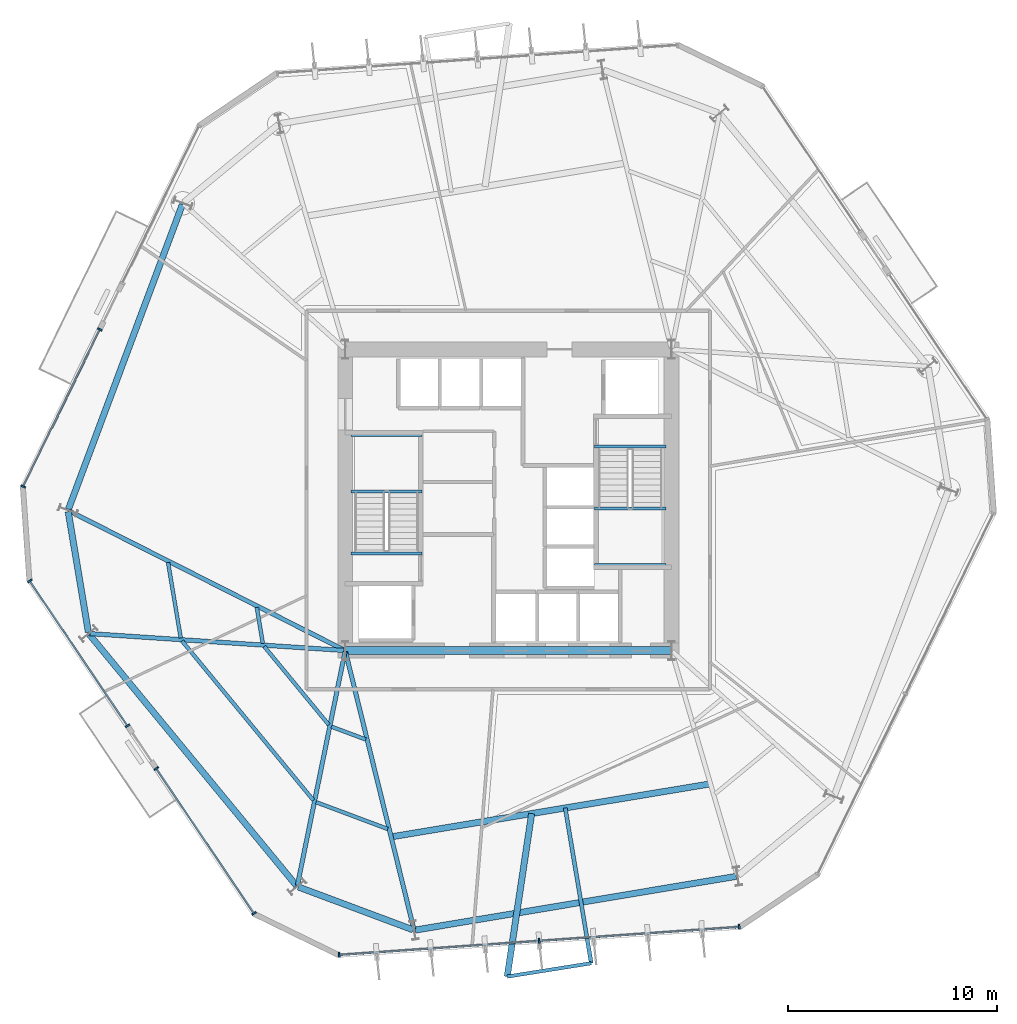
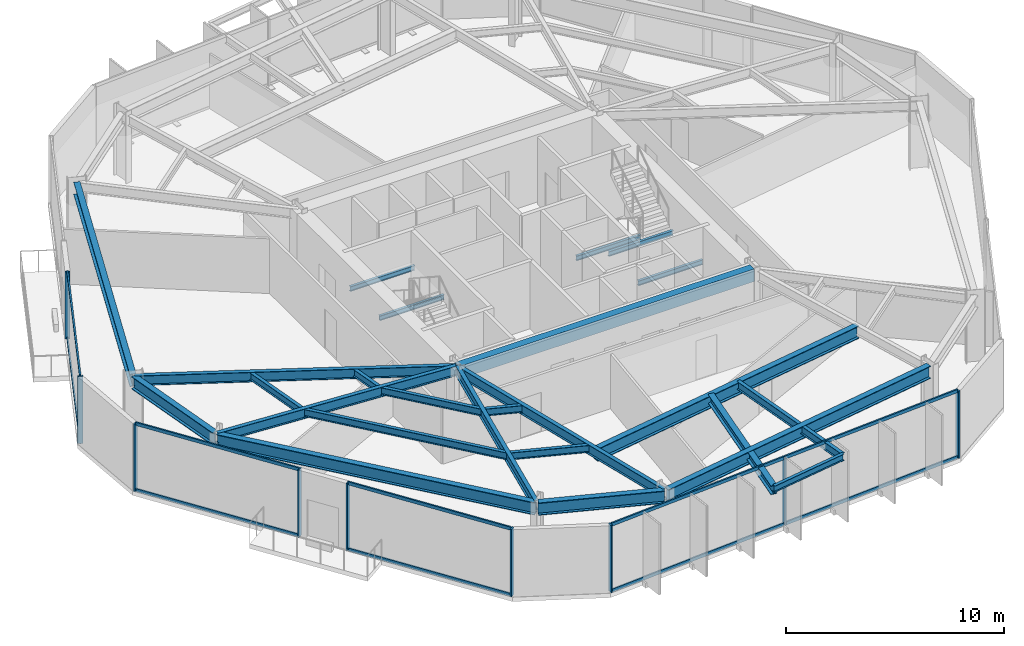
# One storey, part 2 of 10: 26 beams, 19 members, 4 elements without a shape of their own.
"""IFC4 building model written with IfcOpenShell, lengths in metres."""

from ifc_helpers import new_model, si_unit, direction, frame, origin, origin_2d, place, context, subcontext, project, spatial, rectangle, i_section, extrude, material, layer, layer_set, material_profile, profile_set, type_object, element, aggregate, save


model = new_model("IFC4")

# Units and contexts
model_context = context("Model", 3, precision=1e-05, world=origin(), true_north=direction((0.0, 1.0)))
body_context = subcontext(model_context, "Body", "Model", "MODEL_VIEW")
ifc_project = project(units=[si_unit("LENGTHUNIT", "METRE"), si_unit("AREAUNIT", "SQUARE_METRE"), si_unit("VOLUMEUNIT", "CUBIC_METRE"), si_unit("PLANEANGLEUNIT", "RADIAN"), si_unit("MASSUNIT", "GRAM", prefix="KILO")], contexts=[model_context])

# Site, building, storey
site_placement = place(None, origin())
site = spatial("IfcSite", under=ifc_project, at=site_placement, CompositionType="ELEMENT")
building_placement = place(site_placement, origin())
building = spatial("IfcBuilding", under=site, at=building_placement, Name="Kranzbogen Civic Tower", CompositionType="ELEMENT")
storey_placement = place(building_placement, frame((0.0, 0.0, 36.0)))
storey = spatial("IfcBuildingStorey", under=building, at=storey_placement, Name="L08", CompositionType="ELEMENT", Elevation=36.0)

# Beams
ifc_material_1 = material(Name="Steel S355", Category="steel")
ifc_material_profile_1 = material_profile(ifc_material_1, i_section(OverallWidth=0.18994140625, OverallDepth=0.449951171875, WebThickness=0.009521484375, FlangeThickness=0.0146484375, at=origin_2d()), Name="IPE 450")
ifc_profile_set_1 = profile_set([ifc_material_profile_1], Name="Steel S355")
beam_type_1 = type_object("IfcBeamType", Name="Braced Terrace Edge Beam IPE 450", PredefinedType="BEAM", material=ifc_profile_set_1)
beam_1_placement = place(storey_placement, frame((27.720947265625, 10.27294921875, 3.52490234375), z_axis=(0.165129915762, -0.986271824053, 0.0), x_axis=(0.986271824053, 0.165129915762, 0.0)))
element("IfcBeam", 1, at=beam_1_placement, inside=storey, type_object=beam_type_1, Name="L09 back-spanned terrace beam L09-TB2-2", PredefinedType="BEAM", context=body_context, shape_type="SweptSolid", body=[
    extrude(i_section(OverallWidth=0.18994140625, OverallDepth=0.449951171875, WebThickness=0.009521484375, FlangeThickness=0.0146484375, at=origin_2d()), origin(), (0.0, 0.0, 1.0), 7.5283203125),
])
ifc_material_2 = material(Name="Concrete C40/50", Category="concrete")
ifc_material_profile_2 = material_profile(ifc_material_2, rectangle(XDim=0.39990234375, YDim=0.699951171875, at=origin_2d()), Name="RC-BM 400x700")
ifc_profile_set_2 = profile_set([ifc_material_profile_2], Name="Concrete C40/50")
beam_type_2 = type_object("IfcBeamType", Name="Core Coupling Lintel Beam 400x700", PredefinedType="LINTEL", material=ifc_profile_set_2)
beam_2_placement = place(storey_placement, frame((17.199951171875, 17.800048828125, 3.409912109375), z_axis=(1.0, 0.0, 0.0), x_axis=(0.0, 1.0, 0.0)))
element("IfcBeam", 2, at=beam_2_placement, inside=storey, type_object=beam_type_2, Name="L08 core South coupling lintel beam", PredefinedType="LINTEL", context=body_context, shape_type="SweptSolid", body=[
    extrude(rectangle(XDim=0.39990234375, YDim=0.699951171875, at=origin_2d()), origin(), (0.0, 0.0, 1.0), 15.60009765625),
])

# Curtain wall, members
ifc_material_3 = material(Name="Pale Anodised Aluminium", Category="aluminium")
ifc_layer = layer(ifc_material_3, 0.219970703125, Name="Pale Anodised Aluminium")
ifc_layer_set = layer_set([ifc_layer], Name="Pale Anodised Aluminium")
curtain_wall_type = type_object("IfcCurtainWallType", Name="Zone 1 Stick Curtain Wall System CW-02", PredefinedType="USERDEFINED", material=ifc_layer_set)
curtain_wall_1_placement = place(storey_placement, origin())
curtain_wall_1 = element("IfcCurtainWall", 3, at=curtain_wall_1_placement, inside=storey, type_object=curtain_wall_type, Name="L08 curtain wall CW-L08-F3-S2", ObjectType="STICK CURTAIN WALL", PredefinedType="USERDEFINED")
ifc_material_profile_3 = material_profile(ifc_material_3, rectangle(XDim=0.080078125, YDim=0.239990234375, at=origin_2d()), Name="ALU-M 80x240")
ifc_profile_set_3 = profile_set([ifc_material_profile_3], Name="Pale Anodised Aluminium")
member_type_1 = type_object("IfcMemberType", Name="Curtain Wall Mullion ALU-M 80x240", PredefinedType="MULLION", material=ifc_profile_set_3)
member_1_placement = place(storey_placement, frame((5.46484375, 33.158935546875, 0.0), z_axis=(0.0, 0.0, 1.0), x_axis=(-0.438355774113, -0.898801543892, 0.0)))
member_1 = element("IfcMember", 4, at=member_1_placement, type_object=member_type_1, Name="CW-02 mullion 1", PredefinedType="MULLION", context=body_context, shape_type="SweptSolid", body=[
    extrude(rectangle(XDim=0.080078125, YDim=0.239990234375, at=origin_2d()), origin(), (0.0, 0.0, 1.0), 3.760009765625),
])
member_2_placement = place(storey_placement, frame((1.800048828125, 25.64501953125, 0.0), z_axis=(0.0, 0.0, 1.0), x_axis=(-0.438355774113, -0.898801543892, 0.0)))
member_2 = element("IfcMember", 5, at=member_2_placement, type_object=member_type_1, Name="CW-02 mullion 2", PredefinedType="MULLION", context=body_context, shape_type="SweptSolid", body=[
    extrude(rectangle(XDim=0.080078125, YDim=0.239990234375, at=origin_2d()), origin(), (0.0, 0.0, 1.0), 3.760009765625),
])

curtain_wall_2_placement = place(storey_placement, origin())
curtain_wall_2 = element("IfcCurtainWall", 6, at=curtain_wall_2_placement, inside=storey, type_object=curtain_wall_type, Name="L08 curtain wall CW-L08-F4-S1", ObjectType="STICK CURTAIN WALL", PredefinedType="USERDEFINED")
member_3_placement = place(storey_placement, frame((2.11572265625, 21.131103515625, 0.0), z_axis=(0.0, 0.0, 1.0), x_axis=(0.559187234203, -0.829041396496, 0.0)))
member_3 = element("IfcMember", 7, at=member_3_placement, type_object=member_type_1, Name="CW-02 mullion 1", PredefinedType="MULLION", context=body_context, shape_type="SweptSolid", body=[
    extrude(rectangle(XDim=0.080078125, YDim=0.239990234375, at=origin_2d()), origin(), (0.0, 0.0, 1.0), 3.760009765625),
])
member_4_placement = place(storey_placement, frame((6.790283203125, 14.200927734375, 0.0), z_axis=(0.0, 0.0, 1.0), x_axis=(0.559187234203, -0.829041396496, 0.0)))
member_4 = element("IfcMember", 8, at=member_4_placement, type_object=member_type_1, Name="CW-02 mullion 2", PredefinedType="MULLION", context=body_context, shape_type="SweptSolid", body=[
    extrude(rectangle(XDim=0.080078125, YDim=0.239990234375, at=origin_2d()), origin(), (0.0, 0.0, 1.0), 3.760009765625),
])

curtain_wall_3_placement = place(storey_placement, origin())
curtain_wall_3 = element("IfcCurtainWall", 9, at=curtain_wall_3_placement, inside=storey, type_object=curtain_wall_type, Name="L08 curtain wall CW-L08-F4-S2", ObjectType="STICK CURTAIN WALL", PredefinedType="USERDEFINED")
member_5_placement = place(storey_placement, frame((8.165771484375, 12.1611328125, 0.0), z_axis=(0.0, 0.0, 1.0), x_axis=(0.559187234203, -0.829041396496, 0.0)))
member_5 = element("IfcMember", 10, at=member_5_placement, type_object=member_type_1, Name="CW-02 mullion 1", PredefinedType="MULLION", context=body_context, shape_type="SweptSolid", body=[
    extrude(rectangle(XDim=0.080078125, YDim=0.239990234375, at=origin_2d()), origin(), (0.0, 0.0, 1.0), 3.760009765625),
])
member_6_placement = place(storey_placement, frame((12.84033203125, 5.23095703125, 0.0), z_axis=(0.0, 0.0, 1.0), x_axis=(0.559187234203, -0.829041396496, 0.0)))
member_6 = element("IfcMember", 11, at=member_6_placement, type_object=member_type_1, Name="CW-02 mullion 2", PredefinedType="MULLION", context=body_context, shape_type="SweptSolid", body=[
    extrude(rectangle(XDim=0.080078125, YDim=0.239990234375, at=origin_2d()), origin(), (0.0, 0.0, 1.0), 3.760009765625),
])

curtain_wall_4_placement = place(storey_placement, origin())
curtain_wall_4 = element("IfcCurtainWall", 12, at=curtain_wall_4_placement, inside=storey, type_object=curtain_wall_type, Name="L08 curtain wall CW-L08-F5", ObjectType="STICK CURTAIN WALL", PredefinedType="USERDEFINED")
member_7_placement = place(storey_placement, frame((16.907958984375, 3.2470703125, 0.0), z_axis=(0.0, 0.0, 1.0), x_axis=(0.997564178208, 0.069754643976, 0.0)))
member_7 = element("IfcMember", 13, at=member_7_placement, type_object=member_type_1, Name="CW-02 mullion 1", PredefinedType="MULLION", context=body_context, shape_type="SweptSolid", body=[
    extrude(rectangle(XDim=0.080078125, YDim=0.239990234375, at=origin_2d()), origin(), (0.0, 0.0, 1.0), 3.760009765625),
])
member_8_placement = place(storey_placement, frame((26.47412109375, 3.916015625, 0.0), z_axis=(0.0, 0.0, 1.0), x_axis=(0.997564178208, 0.069754643976, 0.0)))
member_8 = element("IfcMember", 14, at=member_8_placement, type_object=member_type_1, Name="CW-02 mullion 2", PredefinedType="MULLION", context=body_context, shape_type="SweptSolid", body=[
    extrude(rectangle(XDim=0.080078125, YDim=0.239990234375, at=origin_2d()), origin(), (0.0, 0.0, 1.0), 3.760009765625),
])
member_9_placement = place(storey_placement, frame((36.0400390625, 4.5849609375, 0.0), z_axis=(0.0, 0.0, 1.0), x_axis=(0.997564178208, 0.069754643976, 0.0)))
member_9 = element("IfcMember", 15, at=member_9_placement, type_object=member_type_1, Name="CW-02 mullion 3", PredefinedType="MULLION", context=body_context, shape_type="SweptSolid", body=[
    extrude(rectangle(XDim=0.080078125, YDim=0.239990234375, at=origin_2d()), origin(), (0.0, 0.0, 1.0), 3.760009765625),
])

# Member
ifc_material_profile_4 = material_profile(ifc_material_3, rectangle(XDim=0.080078125, YDim=0.179931640625, at=origin_2d()), Name="ALU-T 80x180")
ifc_profile_set_4 = profile_set([ifc_material_profile_4], Name="Pale Anodised Aluminium")
member_type_2 = type_object("IfcMemberType", Name="Curtain Wall Transom ALU-T 80x180", PredefinedType="USERDEFINED", material=ifc_profile_set_4)
member_10_placement = place(storey_placement, frame((5.45166015625, 33.132080078125, 0.030029296875), z_axis=(-0.438355827491, -0.898801517858, 0.0), x_axis=(0.898801517858, -0.438355827491, 0.0)))
member_10 = element("IfcMember", 16, at=member_10_placement, type_object=member_type_2, Name="CW-02 transom 1.1", ObjectType="TRANSOM", PredefinedType="USERDEFINED", context=body_context, shape_type="SweptSolid", body=[
    extrude(rectangle(XDim=0.080078125, YDim=0.179931640625, at=origin_2d()), origin(), (0.0, 0.0, 1.0), 8.300048828125),
])

member_11_placement = place(storey_placement, frame((5.45166015625, 33.132080078125, 3.72998046875), z_axis=(-0.438355827491, -0.898801517858, 0.0), x_axis=(0.898801517858, -0.438355827491, 0.0)))
member_11 = element("IfcMember", 17, at=member_11_placement, type_object=member_type_2, Name="CW-02 transom 1.2", ObjectType="TRANSOM", PredefinedType="USERDEFINED", context=body_context, shape_type="SweptSolid", body=[
    extrude(rectangle(XDim=0.080078125, YDim=0.179931640625, at=origin_2d()), origin(), (0.0, 0.0, 1.0), 8.300048828125),
])

aggregate(curtain_wall_1, [member_1, member_2, member_10, member_11])

member_12_placement = place(storey_placement, frame((2.132568359375, 21.106201171875, 0.030029296875), z_axis=(0.559192923252, -0.829037559213, 0.0), x_axis=(0.829037559213, 0.559192923252, 0.0)))
member_12 = element("IfcMember", 18, at=member_12_placement, type_object=member_type_2, Name="CW-02 transom 1.1", ObjectType="TRANSOM", PredefinedType="USERDEFINED", context=body_context, shape_type="SweptSolid", body=[
    extrude(rectangle(XDim=0.080078125, YDim=0.179931640625, at=origin_2d()), origin(), (0.0, 0.0, 1.0), 8.29931640625),
])

member_13_placement = place(storey_placement, frame((2.132568359375, 21.106201171875, 3.72998046875), z_axis=(0.559192923252, -0.829037559213, 0.0), x_axis=(0.829037559213, 0.559192923252, 0.0)))
member_13 = element("IfcMember", 19, at=member_13_placement, type_object=member_type_2, Name="CW-02 transom 1.2", ObjectType="TRANSOM", PredefinedType="USERDEFINED", context=body_context, shape_type="SweptSolid", body=[
    extrude(rectangle(XDim=0.080078125, YDim=0.179931640625, at=origin_2d()), origin(), (0.0, 0.0, 1.0), 8.29931640625),
])

aggregate(curtain_wall_2, [member_3, member_4, member_12, member_13])

member_14_placement = place(storey_placement, frame((8.1826171875, 12.13623046875, 0.030029296875), z_axis=(0.559192923252, -0.829037559213, 0.0), x_axis=(0.829037559213, 0.559192923252, 0.0)))
member_14 = element("IfcMember", 20, at=member_14_placement, type_object=member_type_2, Name="CW-02 transom 1.1", ObjectType="TRANSOM", PredefinedType="USERDEFINED", context=body_context, shape_type="SweptSolid", body=[
    extrude(rectangle(XDim=0.080078125, YDim=0.179931640625, at=origin_2d()), origin(), (0.0, 0.0, 1.0), 8.29931640625),
])

member_15_placement = place(storey_placement, frame((8.1826171875, 12.13623046875, 3.72998046875), z_axis=(0.559192923252, -0.829037559213, 0.0), x_axis=(0.829037559213, 0.559192923252, 0.0)))
member_15 = element("IfcMember", 21, at=member_15_placement, type_object=member_type_2, Name="CW-02 transom 1.2", ObjectType="TRANSOM", PredefinedType="USERDEFINED", context=body_context, shape_type="SweptSolid", body=[
    extrude(rectangle(XDim=0.080078125, YDim=0.179931640625, at=origin_2d()), origin(), (0.0, 0.0, 1.0), 8.29931640625),
])

aggregate(curtain_wall_3, [member_5, member_6, member_14, member_15])

member_16_placement = place(storey_placement, frame((16.937744140625, 3.249267578125, 0.030029296875), z_axis=(0.997565494445, 0.069735817861, 0.0), x_axis=(-0.069735817861, 0.997565494445, 0.0)))
member_16 = element("IfcMember", 22, at=member_16_placement, type_object=member_type_2, Name="CW-02 transom 1.1", ObjectType="TRANSOM", PredefinedType="USERDEFINED", context=body_context, shape_type="SweptSolid", body=[
    extrude(rectangle(XDim=0.080078125, YDim=0.179931640625, at=origin_2d()), origin(), (0.0, 0.0, 1.0), 9.529541015625),
])

member_17_placement = place(storey_placement, frame((16.937744140625, 3.249267578125, 3.72998046875), z_axis=(0.997565494445, 0.069735817861, 0.0), x_axis=(-0.069735817861, 0.997565494445, 0.0)))
member_17 = element("IfcMember", 23, at=member_17_placement, type_object=member_type_2, Name="CW-02 transom 1.2", ObjectType="TRANSOM", PredefinedType="USERDEFINED", context=body_context, shape_type="SweptSolid", body=[
    extrude(rectangle(XDim=0.080078125, YDim=0.179931640625, at=origin_2d()), origin(), (0.0, 0.0, 1.0), 9.529541015625),
])

member_18_placement = place(storey_placement, frame((26.50390625, 3.918212890625, 0.030029296875), z_axis=(0.997565494445, 0.069735817861, 0.0), x_axis=(-0.069735817861, 0.997565494445, 0.0)))
member_18 = element("IfcMember", 24, at=member_18_placement, type_object=member_type_2, Name="CW-02 transom 2.1", ObjectType="TRANSOM", PredefinedType="USERDEFINED", context=body_context, shape_type="SweptSolid", body=[
    extrude(rectangle(XDim=0.080078125, YDim=0.179931640625, at=origin_2d()), origin(), (0.0, 0.0, 1.0), 9.529541015625),
])

member_19_placement = place(storey_placement, frame((26.50390625, 3.918212890625, 3.72998046875), z_axis=(0.997565494445, 0.069735817861, 0.0), x_axis=(-0.069735817861, 0.997565494445, 0.0)))
member_19 = element("IfcMember", 25, at=member_19_placement, type_object=member_type_2, Name="CW-02 transom 2.2", ObjectType="TRANSOM", PredefinedType="USERDEFINED", context=body_context, shape_type="SweptSolid", body=[
    extrude(rectangle(XDim=0.080078125, YDim=0.179931640625, at=origin_2d()), origin(), (0.0, 0.0, 1.0), 9.529541015625),
])

aggregate(curtain_wall_4, [member_7, member_8, member_9, member_16, member_17, member_18, member_19])

# Beams
ifc_material_profile_5 = material_profile(ifc_material_1, i_section(OverallWidth=0.300048828125, OverallDepth=0.5, WebThickness=0.014404296875, FlangeThickness=0.028076171875, at=origin_2d()), Name="HEB 500")
ifc_profile_set_5 = profile_set([ifc_material_profile_5], Name="Steel S355")
beam_type_3 = type_object("IfcBeamType", Name="Perimeter Tube Spandrel Beam HEB 500", PredefinedType="SPANDREL", material=ifc_profile_set_5)
beam_3_placement = place(storey_placement, frame((26.114990234375, 10.006103515625, 3.5), z_axis=(-0.148263227788, -0.988947933557, 0.0), x_axis=(0.988947933557, -0.148263227788, 0.0)))
element("IfcBeam", 26, at=beam_3_placement, inside=storey, type_object=beam_type_3, Name="L09 back-spanned terrace beam L09-TB2-1", PredefinedType="SPANDREL", context=body_context, shape_type="SweptSolid", body=[
    extrude(i_section(OverallWidth=0.300048828125, OverallDepth=0.5, WebThickness=0.014404296875, FlangeThickness=0.028076171875, at=origin_2d()), origin(), (0.0, 0.0, 1.0), 7.88427734375),
])
ifc_material_profile_6 = material_profile(ifc_material_1, i_section(OverallWidth=0.300048828125, OverallDepth=0.699951171875, WebThickness=0.01708984375, FlangeThickness=0.031982421875, at=origin_2d()), Name="HEB 700")
ifc_profile_set_6 = profile_set([ifc_material_profile_6], Name="Steel S355")
beam_type_4 = type_object("IfcBeamType", Name="Perimeter Tube Spandrel Beam HEB 700", PredefinedType="SPANDREL", material=ifc_profile_set_6)
beam_4_placement = place(storey_placement, frame((3.952880859375, 24.445068359375, 3.409912109375), z_axis=(0.164913116942, -0.986308097838, 0.0), x_axis=(0.986308097838, 0.164913116942, 0.0)))
element("IfcBeam", 27, at=beam_4_placement, inside=storey, type_object=beam_type_4, Name="L08 perimeter spandrel beam 01", PredefinedType="SPANDREL", context=body_context, shape_type="SweptSolid", body=[
    extrude(i_section(OverallWidth=0.300048828125, OverallDepth=0.699951171875, WebThickness=0.01708984375, FlangeThickness=0.031982421875, at=origin_2d()), origin(), (0.0, 0.0, 1.0), 5.85205078125),
])
beam_5_placement = place(storey_placement, frame((4.966064453125, 18.568115234375, 3.409912109375), z_axis=(0.636074572579, -0.771627590304, 0.0), x_axis=(0.771627590304, 0.636074572579, 0.0)))
element("IfcBeam", 28, at=beam_5_placement, inside=storey, type_object=beam_type_4, Name="L08 perimeter spandrel beam 02", PredefinedType="SPANDREL", context=body_context, shape_type="SweptSolid", body=[
    extrude(i_section(OverallWidth=0.300048828125, OverallDepth=0.699951171875, WebThickness=0.01708984375, FlangeThickness=0.031982421875, at=origin_2d()), origin(), (0.0, 0.0, 1.0), 15.5595703125),
])
beam_6_placement = place(storey_placement, frame((14.95703125, 6.4951171875, 3.409912109375), z_axis=(0.936647646965, -0.350273015568, 0.0), x_axis=(0.350273015568, 0.936647646965, 0.0)))
element("IfcBeam", 29, at=beam_6_placement, inside=storey, type_object=beam_type_4, Name="L08 perimeter spandrel beam 03", PredefinedType="SPANDREL", context=body_context, shape_type="SweptSolid", body=[
    extrude(i_section(OverallWidth=0.300048828125, OverallDepth=0.699951171875, WebThickness=0.01708984375, FlangeThickness=0.031982421875, at=origin_2d()), origin(), (0.0, 0.0, 1.0), 5.852783203125),
])
beam_7_placement = place(storey_placement, frame((20.553955078125, 4.43408203125, 3.409912109375), z_axis=(0.986285563243, 0.165047834697, 0.0), x_axis=(-0.165047834697, 0.986285563243, 0.0)))
element("IfcBeam", 30, at=beam_7_placement, inside=storey, type_object=beam_type_4, Name="L08 perimeter spandrel beam 04", PredefinedType="SPANDREL", context=body_context, shape_type="SweptSolid", body=[
    extrude(i_section(OverallWidth=0.300048828125, OverallDepth=0.699951171875, WebThickness=0.01708984375, FlangeThickness=0.031982421875, at=origin_2d()), origin(), (0.0, 0.0, 1.0), 15.558349609375),
])
beam_8_placement = place(storey_placement, frame((9.412109375, 39.133056640625, 3.409912109375), z_axis=(-0.350172267932, -0.936685316833, 0.0), x_axis=(0.936685316833, -0.350172267932, 0.0)))
element("IfcBeam", 31, at=beam_8_placement, inside=storey, type_object=beam_type_4, Name="L08 perimeter spandrel beam 12", PredefinedType="SPANDREL", context=body_context, shape_type="SweptSolid", body=[
    extrude(i_section(OverallWidth=0.300048828125, OverallDepth=0.699951171875, WebThickness=0.01708984375, FlangeThickness=0.031982421875, at=origin_2d()), origin(), (0.0, 0.0, 1.0), 15.55810546875),
])
beam_9_placement = place(storey_placement, frame((19.39501953125, 8.889892578125, 3.39990234375), z_axis=(0.9864781902, 0.163892587571, 0.0), x_axis=(-0.163892587571, 0.9864781902, 0.0)))
element("IfcBeam", 32, at=beam_9_placement, inside=storey, type_object=beam_type_4, Name="L09 balcony back-span header girder L09-TB2", PredefinedType="SPANDREL", context=body_context, shape_type="SweptSolid", body=[
    extrude(i_section(OverallWidth=0.300048828125, OverallDepth=0.699951171875, WebThickness=0.01708984375, FlangeThickness=0.031982421875, at=origin_2d()), origin(), (0.0, 0.0, 1.0), 15.480224609375),
])
ifc_material_profile_7 = material_profile(ifc_material_1, i_section(OverallWidth=0.2099609375, OverallDepth=0.550048828125, WebThickness=0.010986328125, FlangeThickness=0.01708984375, at=origin_2d()), Name="IPE 550")
ifc_profile_set_7 = profile_set([ifc_material_profile_7], Name="Steel S355")
beam_type_5 = type_object("IfcBeamType", Name="Radial Tower Floor Girder IPE 550", PredefinedType="BEAM", material=ifc_profile_set_7)
beam_10_placement = place(storey_placement, frame((3.9970703125, 24.47705078125, 3.485107421875), z_axis=(0.892363219254, -0.451317942168, 0.0), x_axis=(0.451317942168, 0.892363219254, 0.0)))
element("IfcBeam", 33, at=beam_10_placement, inside=storey, type_object=beam_type_5, Name="L08 radial floor girder 01", PredefinedType="BEAM", context=body_context, shape_type="SweptSolid", body=[
    extrude(i_section(OverallWidth=0.2099609375, OverallDepth=0.550048828125, WebThickness=0.010986328125, FlangeThickness=0.01708984375, at=origin_2d()), origin(), (0.0, 0.0, 1.0), 14.73486328125),
])
beam_11_placement = place(storey_placement, frame((4.988037109375, 18.610107421875, 3.485107421875), z_axis=(0.99780674843, -0.066194356156, 0.0), x_axis=(0.066194356156, 0.99780674843, 0.0)))
element("IfcBeam", 34, at=beam_11_placement, inside=storey, type_object=beam_type_5, Name="L08 radial floor girder 02", PredefinedType="BEAM", context=body_context, shape_type="SweptSolid", body=[
    extrude(i_section(OverallWidth=0.2099609375, OverallDepth=0.550048828125, WebThickness=0.010986328125, FlangeThickness=0.01708984375, at=origin_2d()), origin(), (0.0, 0.0, 1.0), 12.178466796875),
])
beam_12_placement = place(storey_placement, frame((14.9130859375, 6.574951171875, 3.485107421875), z_axis=(0.199633433694, 0.979870650725, 0.0), x_axis=(-0.979870650725, 0.199633433694, 0.0)))
element("IfcBeam", 35, at=beam_12_placement, inside=storey, type_object=beam_type_5, Name="L08 radial floor girder 03", PredefinedType="BEAM", context=body_context, shape_type="SweptSolid", body=[
    extrude(i_section(OverallWidth=0.2099609375, OverallDepth=0.550048828125, WebThickness=0.010986328125, FlangeThickness=0.01708984375, at=origin_2d()), origin(), (0.0, 0.0, 1.0), 11.3955078125),
])
beam_13_placement = place(storey_placement, frame((20.48095703125, 4.48193359375, 3.485107421875), z_axis=(-0.239215348776, 0.970966537482, 0.0), x_axis=(-0.970966537482, -0.239215348776, 0.0)))
element("IfcBeam", 36, at=beam_13_placement, inside=storey, type_object=beam_type_5, Name="L08 radial floor girder 04", PredefinedType="BEAM", context=body_context, shape_type="SweptSolid", body=[
    extrude(i_section(OverallWidth=0.2099609375, OverallDepth=0.550048828125, WebThickness=0.010986328125, FlangeThickness=0.01708984375, at=origin_2d()), origin(), (0.0, 0.0, 1.0), 13.656494140625),
])
ifc_material_profile_8 = material_profile(ifc_material_1, i_section(OverallWidth=0.169921875, OverallDepth=0.360107421875, WebThickness=0.008056640625, FlangeThickness=0.0126953125, at=origin_2d()), Name="IPE 360")
ifc_profile_set_8 = profile_set([ifc_material_profile_8], Name="Steel S355")
beam_type_6 = type_object("IfcBeamType", Name="Secondary Composite Floor Joist IPE 360", PredefinedType="JOIST", material=ifc_profile_set_8)
beam_14_placement = place(storey_placement, frame((24.946044921875, 2.208984375, 3.570068359375), z_axis=(0.987592576761, 0.157037900923, 0.0), x_axis=(-0.157037900923, 0.987592576761, 0.0)))
element("IfcBeam", 37, at=beam_14_placement, inside=storey, type_object=beam_type_6, Name="L09 terrace outer edge trimmer L09-TB2", PredefinedType="JOIST", context=body_context, shape_type="SweptSolid", body=[
    extrude(i_section(OverallWidth=0.169921875, OverallDepth=0.360107421875, WebThickness=0.008056640625, FlangeThickness=0.0126953125, at=origin_2d()), origin(), (0.0, 0.0, 1.0), 4.068603515625),
])
ifc_material_profile_9 = material_profile(ifc_material_1, i_section(OverallWidth=0.179931640625, OverallDepth=0.39990234375, WebThickness=0.008544921875, FlangeThickness=0.013427734375, at=origin_2d()), Name="IPE 400")
ifc_profile_set_9 = profile_set([ifc_material_profile_9], Name="Steel S355")
beam_type_7 = type_object("IfcBeamType", Name="Secondary Composite Floor Joist IPE 400", PredefinedType="JOIST", material=ifc_profile_set_9)
beam_15_placement = place(storey_placement, frame((8.72900390625, 22.011962890625, 3.56005859375), z_axis=(0.164928678379, -0.986305495802, 0.0), x_axis=(0.986305495802, 0.164928678379, 0.0)))
element("IfcBeam", 38, at=beam_15_placement, inside=storey, type_object=beam_type_7, Name="L08 secondary floor joist 1.01", PredefinedType="JOIST", context=body_context, shape_type="SweptSolid", body=[
    extrude(i_section(OverallWidth=0.179931640625, OverallDepth=0.39990234375, WebThickness=0.008544921875, FlangeThickness=0.013427734375, at=origin_2d()), origin(), (0.0, 0.0, 1.0), 3.662109375),
])
beam_16_placement = place(storey_placement, frame((12.970947265625, 19.865966796875, 3.56005859375), z_axis=(0.165077224104, -0.986280644686, 0.0), x_axis=(0.986280644686, 0.165077224104, 0.0)))
element("IfcBeam", 39, at=beam_16_placement, inside=storey, type_object=beam_type_7, Name="L08 secondary floor joist 2.01", PredefinedType="JOIST", context=body_context, shape_type="SweptSolid", body=[
    extrude(i_section(OverallWidth=0.179931640625, OverallDepth=0.39990234375, WebThickness=0.008544921875, FlangeThickness=0.013427734375, at=origin_2d()), origin(), (0.0, 0.0, 1.0), 1.7509765625),
])
beam_17_placement = place(storey_placement, frame((9.39697265625, 18.259033203125, 3.56005859375), z_axis=(0.636094561772, -0.771611112209, 0.0), x_axis=(0.771611112209, 0.636094561772, 0.0)))
element("IfcBeam", 40, at=beam_17_placement, inside=storey, type_object=beam_type_7, Name="L08 secondary floor joist 1.02", PredefinedType="JOIST", context=body_context, shape_type="SweptSolid", body=[
    extrude(i_section(OverallWidth=0.179931640625, OverallDepth=0.39990234375, WebThickness=0.008544921875, FlangeThickness=0.013427734375, at=origin_2d()), origin(), (0.0, 0.0, 1.0), 9.874267578125),
])
beam_18_placement = place(storey_placement, frame((13.323974609375, 17.9990234375, 3.56005859375), z_axis=(0.636012010413, -0.771679157818, 0.0), x_axis=(0.771679157818, 0.636012010413, 0.0)))
element("IfcBeam", 41, at=beam_18_placement, inside=storey, type_object=beam_type_7, Name="L08 secondary floor joist 2.02", PredefinedType="JOIST", context=body_context, shape_type="SweptSolid", body=[
    extrude(i_section(OverallWidth=0.179931640625, OverallDepth=0.39990234375, WebThickness=0.008544921875, FlangeThickness=0.013427734375, at=origin_2d()), origin(), (0.0, 0.0, 1.0), 4.85693359375),
])
beam_19_placement = place(storey_placement, frame((15.803955078125, 10.550048828125, 3.56005859375), z_axis=(0.936622008794, -0.350341565678, 0.0), x_axis=(0.350341565678, 0.936622008794, 0.0)))
element("IfcBeam", 42, at=beam_19_placement, inside=storey, type_object=beam_type_7, Name="L08 secondary floor joist 1.03", PredefinedType="JOIST", context=body_context, shape_type="SweptSolid", body=[
    extrude(i_section(OverallWidth=0.179931640625, OverallDepth=0.39990234375, WebThickness=0.008544921875, FlangeThickness=0.013427734375, at=origin_2d()), origin(), (0.0, 0.0, 1.0), 3.662109375),
])
beam_20_placement = place(storey_placement, frame((16.5390625, 14.160888671875, 3.56005859375), z_axis=(0.936735458815, -0.350038112495, 0.0), x_axis=(0.350038112495, 0.936735458815, 0.0)))
element("IfcBeam", 43, at=beam_20_placement, inside=storey, type_object=beam_type_7, Name="L08 secondary floor joist 2.03", PredefinedType="JOIST", context=body_context, shape_type="SweptSolid", body=[
    extrude(i_section(OverallWidth=0.179931640625, OverallDepth=0.39990234375, WebThickness=0.008544921875, FlangeThickness=0.013427734375, at=origin_2d()), origin(), (0.0, 0.0, 1.0), 1.750732421875),
])
ifc_material_profile_10 = material_profile(ifc_material_1, i_section(OverallWidth=0.135009765625, OverallDepth=0.27001953125, WebThickness=0.006591796875, FlangeThickness=0.01025390625, at=origin_2d()), Name="IPE 270")
ifc_profile_set_10 = profile_set([ifc_material_profile_10], Name="Steel S355")
beam_type_8 = type_object("IfcBeamType", Name="Stair Landing Support Beam IPE 270", PredefinedType="JOIST", material=ifc_profile_set_10)
for number, where, z_axis, x_axis, name in (
    (44, (20.8798828125, 22.43994140625, -0.375), (-1.0, 0.0, 0.0), (0.0, -1.0, 0.0), "L08 ST-T1 stair floor header beam"),
    (45, (20.8798828125, 25.39990234375, 1.6650390625), (-1.0, 0.0, 0.0), (0.0, -1.0, 0.0), "L08 ST-T1 landing support beam 1.1"),
    (46, (20.8798828125, 28.10009765625, 1.6650390625), (-1.0, 0.0, 0.0), (0.0, -1.0, 0.0), "L08 ST-T1 landing support beam 1.2"),
    (47, (29.1201171875, 27.56005859375, -0.375), (1.0, 0.0, 0.0), (0.0, 1.0, 0.0), "L08 ST-T2 stair floor header beam"),
    (48, (29.1201171875, 24.60009765625, 1.6650390625), (1.0, 0.0, 0.0), (0.0, 1.0, 0.0), "L08 ST-T2 landing support beam 1.1"),
    (49, (29.1201171875, 21.89990234375, 1.6650390625), (1.0, 0.0, 0.0), (0.0, 1.0, 0.0), "L08 ST-T2 landing support beam 1.2"),
):
    element("IfcBeam", number, at=place(storey_placement, frame(where, z_axis=z_axis, x_axis=x_axis)), inside=storey, type_object=beam_type_8, Name=name, PredefinedType="JOIST", context=body_context, shape_type="SweptSolid", body=[
        extrude(i_section(OverallWidth=0.135009765625, OverallDepth=0.27001953125, WebThickness=0.006591796875, FlangeThickness=0.01025390625, at=origin_2d()), origin(), (0.0, 0.0, 1.0), 3.409912109375),
    ])

save(model, "model.ifc")
